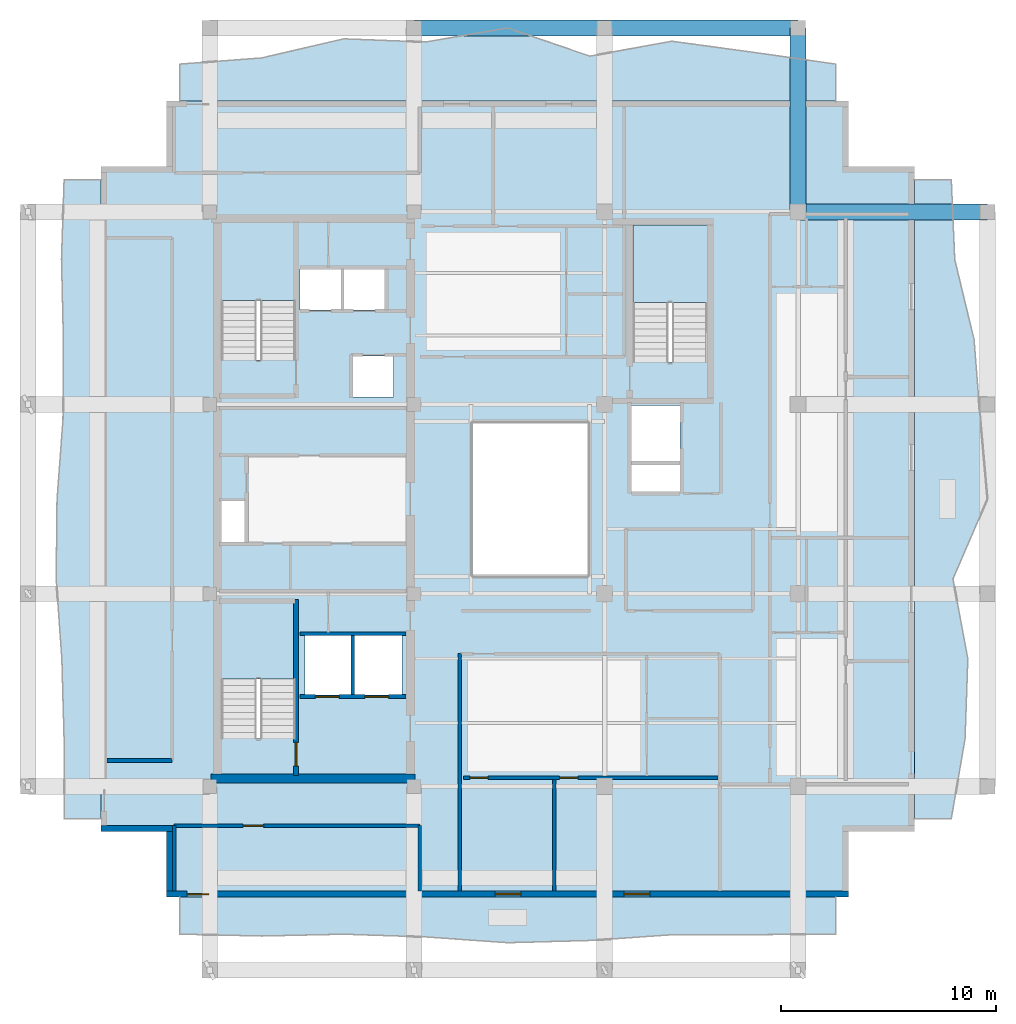
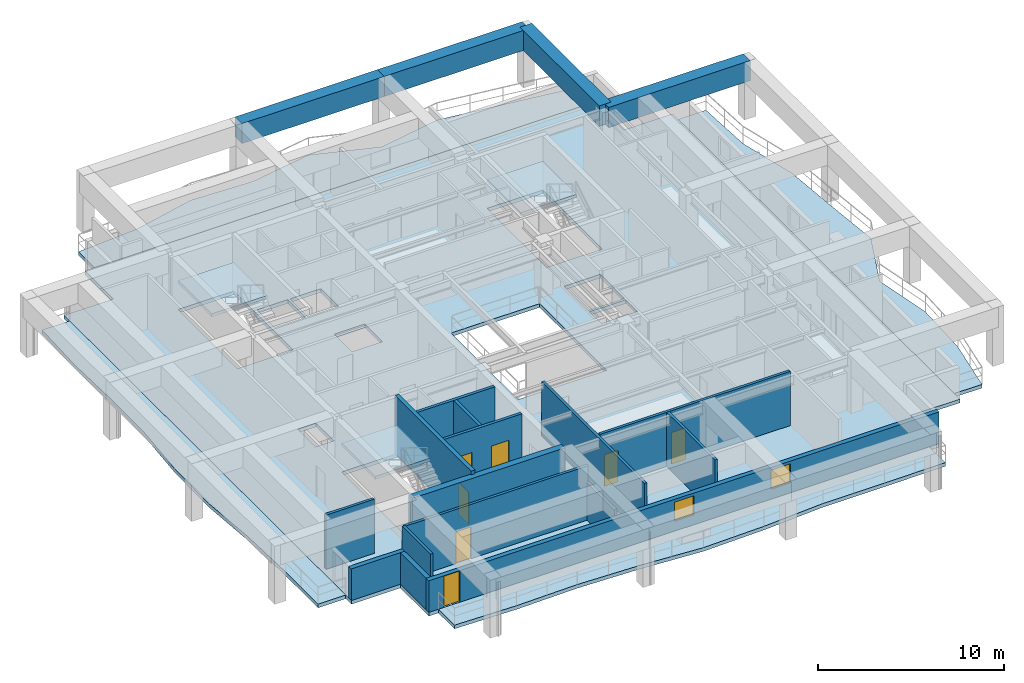
# One storey, part 2 of 10: 15 walls, 8 slabs, 7 doors, 4 beams, 2 windows, 9 openings, 3 elements without a shape of their own.
"""IFC4 building model written with IfcOpenShell, lengths in metres."""

from ifc_helpers import new_model, si_unit, direction, frame, frame_2d, origin, origin_2d, place, context, subcontext, project, spatial, polyline, rectangle, outline, extrude, material, layer, layer_set, material_profile, profile_set, type_object, element, fill, aggregate, save


model = new_model("IFC4")

# Units and contexts
model_context = context("Model", 3, precision=1e-05, world=origin(), true_north=direction((0.0, 1.0)))
body_context = subcontext(model_context, "Body", "Model", "MODEL_VIEW")
ifc_project = project(units=[si_unit("LENGTHUNIT", "METRE"), si_unit("AREAUNIT", "SQUARE_METRE"), si_unit("VOLUMEUNIT", "CUBIC_METRE"), si_unit("PLANEANGLEUNIT", "RADIAN"), si_unit("MASSUNIT", "GRAM", prefix="KILO")], contexts=[model_context])

# Site, building, storey
site_placement = place(None, origin())
site = spatial("IfcSite", under=ifc_project, at=site_placement, CompositionType="ELEMENT")
building_placement = place(site_placement, origin())
building = spatial("IfcBuilding", under=site, at=building_placement, Name="Kundavana Baori Tower", CompositionType="ELEMENT")
storey_placement = place(building_placement, frame((0.0, 0.0, 323.89990234375)))
storey = spatial("IfcBuildingStorey", under=building, at=storey_placement, Name="L80", CompositionType="ELEMENT", Elevation=323.89990234375)

# Beams
ifc_material_1 = material(Name="Concrete C50/60", Category="concrete")
ifc_material_profile = material_profile(ifc_material_1, rectangle(XDim=0.739990234375, YDim=1.320068359375, at=origin_2d()), Name="BM-TG-5")
ifc_profile_set = profile_set([ifc_material_profile], Name="Concrete C50/60")
beam_type = type_object("IfcBeamType", Name="BM-TG-5", PredefinedType="USERDEFINED", material=ifc_profile_set)
beam_1_placement = place(storey_placement, frame((24.949951171875, 50.5, 3.14013671875), z_axis=(1.0, 0.0, 0.0), x_axis=(0.0, 1.0, 0.0)))
element("IfcBeam", 1, at=beam_1_placement, inside=storey, type_object=beam_type, Name="L80 Perimeter Frame Ring Beam N2", ObjectType="TRANSFER GIRDER", PredefinedType="USERDEFINED", context=body_context, shape_type="SweptSolid", body=[
    extrude(rectangle(XDim=0.739990234375, YDim=1.320068359375, at=origin_2d()), origin(), (0.0, 0.0, 1.0), 8.85009765625),
])
beam_2_placement = place(storey_placement, frame((33.800048828125, 50.5, 3.14013671875), z_axis=(1.0, 0.0, 0.0), x_axis=(0.0, 1.0, 0.0)))
element("IfcBeam", 2, at=beam_2_placement, inside=storey, type_object=beam_type, Name="L80 Perimeter Frame Ring Beam N3", ObjectType="TRANSFER GIRDER", PredefinedType="USERDEFINED", context=body_context, shape_type="SweptSolid", body=[
    extrude(rectangle(XDim=0.739990234375, YDim=1.320068359375, at=origin_2d()), origin(), (0.0, 0.0, 1.0), 9.0),
])
beam_3_placement = place(storey_placement, frame((42.800048828125, 41.949951171875, 3.14013671875), z_axis=(0.0, 1.0, 0.0), x_axis=(-1.0, 0.0, 0.0)))
element("IfcBeam", 3, at=beam_3_placement, inside=storey, type_object=beam_type, Name="L80 North Radial Transfer Girder N4", ObjectType="TRANSFER GIRDER", PredefinedType="USERDEFINED", context=body_context, shape_type="SweptSolid", body=[
    extrude(rectangle(XDim=0.739990234375, YDim=1.320068359375, at=origin_2d()), origin(), (0.0, 0.0, 1.0), 8.550048828125),
])
beam_4_placement = place(storey_placement, frame((42.800048828125, 41.949951171875, 3.14013671875), z_axis=(1.0, 0.0, 0.0), x_axis=(0.0, 1.0, 0.0)))
element("IfcBeam", 4, at=beam_4_placement, inside=storey, type_object=beam_type, Name="L80 East Radial Transfer Girder E4", ObjectType="TRANSFER GIRDER", PredefinedType="USERDEFINED", context=body_context, shape_type="SweptSolid", body=[
    extrude(rectangle(XDim=0.739990234375, YDim=1.320068359375, at=origin_2d()), origin(), (0.0, 0.0, 1.0), 8.800048828125),
])

# Slab
ifc_material_2 = material(Name="Concrete C40/50", Category="concrete")
ifc_layer_1 = layer(ifc_material_2, 0.239990234375, Name="SLB-FLR-240")
ifc_layer_set_1 = layer_set([ifc_layer_1], Name="Concrete C40/50")
slab_type_1 = type_object("IfcSlabType", Name="SLB-FLR-240", PredefinedType="FLOOR", material=ifc_layer_set_1)
slab_1_placement = place(storey_placement, frame((0.0, 0.0, -0.239990234375)))
element("IfcSlab", 5, at=slab_1_placement, inside=storey, type_object=slab_type_1, Name="L80 Structural Floor Slab", PredefinedType="FLOOR", context=body_context, shape_type="SweptSolid", body=[
    extrude(outline(polyline([(13.449951171875, 10.10009765625), (45.14990234375, 10.10009765625), (45.14990234375, 13.14990234375), (48.199951171875, 13.14990234375), (48.199951171875, 44.050048828125), (45.14990234375, 44.050048828125), (45.14990234375, 47.10009765625), (13.449951171875, 47.10009765625), (13.449951171875, 44.050048828125), (10.39990234375, 44.050048828125), (10.39990234375, 13.14990234375), (13.449951171875, 13.14990234375), (13.449951171875, 10.10009765625)]), holes=[polyline([(19.43994140625, 17.4619140625), (19.43994140625, 23.85009765625), (15.97998046875, 23.85009765625), (15.97998046875, 17.4619140625), (19.43994140625, 17.4619140625)]), polyline([(19.43994140625, 35.06201171875), (19.43994140625, 41.449951171875), (15.97998046875, 41.449951171875), (15.97998046875, 35.06201171875), (19.43994140625, 35.06201171875)]), polyline([(38.580078125, 34.9619140625), (38.580078125, 41.35009765625), (35.1201171875, 41.35009765625), (35.1201171875, 34.9619140625), (38.580078125, 34.9619140625)]), polyline([(19.64990234375, 37.39990234375), (21.550048828125, 37.39990234375), (21.550048828125, 39.300048828125), (19.64990234375, 39.300048828125), (19.64990234375, 37.39990234375)]), polyline([(21.699951171875, 37.39990234375), (23.60009765625, 37.39990234375), (23.60009765625, 39.300048828125), (21.699951171875, 39.300048828125), (21.699951171875, 37.39990234375)]), polyline([(22.10009765625, 33.35009765625), (24.0, 33.35009765625), (24.0, 35.25), (22.10009765625, 35.25), (22.10009765625, 33.35009765625)]), polyline([(19.8798828125, 19.5), (22.02001953125, 19.5), (22.02001953125, 22.25), (19.8798828125, 22.25), (19.8798828125, 19.5)]), polyline([(22.179931640625, 19.5), (24.3798828125, 19.5), (24.3798828125, 22.25), (22.179931640625, 22.25), (22.179931640625, 19.5)]), polyline([(35.050048828125, 30.35009765625), (37.300048828125, 30.35009765625), (37.300048828125, 32.949951171875), (35.050048828125, 32.949951171875), (35.050048828125, 30.35009765625)]), polyline([(15.949951171875, 26.60009765625), (17.080078125, 26.60009765625), (17.080078125, 28.5), (15.949951171875, 28.5), (15.949951171875, 26.60009765625)]), polyline([(35.050048828125, 28.949951171875), (37.300048828125, 28.949951171875), (37.300048828125, 30.199951171875), (35.050048828125, 30.199951171875), (35.050048828125, 28.949951171875)]), polyline([(27.60009765625, 25.0), (33.10009765625, 25.0), (33.10009765625, 32.199951171875), (27.60009765625, 32.199951171875), (27.60009765625, 25.0)])]), origin(), (0.0, 0.0, 1.0), 0.239990234375),
])

# Stair, slab
ifc_material_3 = material(Name="Concrete C40/50", Category="concrete")
stair_type = type_object("IfcStairType", Name="STR-DOG-1650", PredefinedType="HALF_TURN_STAIR", material=ifc_material_3)
stair_1_placement = place(storey_placement, origin())
stair_1 = element("IfcStair", 6, at=stair_1_placement, inside=storey, type_object=stair_type, Name="L80 Protected Exit Stair ST1", PredefinedType="HALF_TURN_STAIR")
ifc_material_4 = material(Name="Concrete C40/50", Category="concrete")
ifc_layer_2 = layer(ifc_material_4, 0.199951171875, Name="SLB-LND-200")
ifc_layer_set_2 = layer_set([ifc_layer_2], Name="Concrete C40/50")
slab_type_2 = type_object("IfcSlabType", Name="SLB-LND-200", PredefinedType="LANDING", material=ifc_layer_set_2)
slab_2_placement = place(storey_placement, frame((0.0, 0.0, 1.7001953125)))
slab_2 = element("IfcSlab", 7, at=slab_2_placement, type_object=slab_type_2, Name="ST1 landing 1", PredefinedType="LANDING", context=body_context, shape_type="SweptSolid", body=[
    extrude(outline(polyline([(19.43994140625, 20.239990234375), (19.43994140625, 23.85009765625), (15.97998046875, 23.85009765625), (15.97998046875, 20.239990234375), (19.43994140625, 20.239990234375)])), origin(), (0.0, 0.0, 1.0), 0.199951171875),
])
aggregate(stair_1, [slab_2])

stair_2_placement = place(storey_placement, origin())
stair_2 = element("IfcStair", 8, at=stair_2_placement, inside=storey, type_object=stair_type, Name="L80 Protected Exit Stair ST2", PredefinedType="HALF_TURN_STAIR")
slab_3_placement = place(storey_placement, frame((0.0, 0.0, 1.7001953125)))
slab_3 = element("IfcSlab", 9, at=slab_3_placement, type_object=slab_type_2, Name="ST2 landing 1", PredefinedType="LANDING", context=body_context, shape_type="SweptSolid", body=[
    extrude(outline(polyline([(19.43994140625, 37.840087890625), (19.43994140625, 41.449951171875), (15.97998046875, 41.449951171875), (15.97998046875, 37.840087890625), (19.43994140625, 37.840087890625)])), origin(), (0.0, 0.0, 1.0), 0.199951171875),
])
aggregate(stair_2, [slab_3])

stair_3_placement = place(storey_placement, origin())
stair_3 = element("IfcStair", 10, at=stair_3_placement, inside=storey, type_object=stair_type, Name="L80 Protected Exit Stair ST3", PredefinedType="HALF_TURN_STAIR")
slab_4_placement = place(storey_placement, frame((0.0, 0.0, 1.7001953125)))
slab_4 = element("IfcSlab", 11, at=slab_4_placement, type_object=slab_type_2, Name="ST3 landing 1", PredefinedType="LANDING", context=body_context, shape_type="SweptSolid", body=[
    extrude(outline(polyline([(38.580078125, 37.739990234375), (38.580078125, 41.35009765625), (35.1201171875, 41.35009765625), (35.1201171875, 37.739990234375), (38.580078125, 37.739990234375)])), origin(), (0.0, 0.0, 1.0), 0.199951171875),
])
aggregate(stair_3, [slab_4])

# Slabs
ifc_material_5 = material(Name="Concrete C40/50", Category="concrete")
ifc_layer_3 = layer(ifc_material_5, 0.239990234375, Name="SLB-LOG-240")
ifc_layer_set_3 = layer_set([ifc_layer_3], Name="Concrete C40/50")
slab_type_3 = type_object("IfcSlabType", Name="SLB-LOG-240", PredefinedType="FLOOR", material=ifc_layer_set_3)
slab_5_placement = place(storey_placement, frame((0.0, 0.0, -0.239990234375)))
element("IfcSlab", 12, at=slab_5_placement, inside=storey, type_object=slab_type_3, Name="L80 Planted Loggia Balcony Slab S", PredefinedType="FLOOR", context=body_context, shape_type="SweptSolid", body=[
    extrude(outline(polyline([(14.050048828125, 10.10009765625), (44.550048828125, 10.10009765625), (44.550048828125, 8.3798828125), (40.737060546875, 8.35595703125), (36.925048828125, 8.34912109375), (33.112060546875, 8.083984375), (29.300048828125, 7.97998046875), (25.487060546875, 8.2490234375), (21.675048828125, 8.3759765625), (17.863037109375, 8.291015625), (14.050048828125, 8.3798828125), (14.050048828125, 10.10009765625)])), origin(), (0.0, 0.0, 1.0), 0.239990234375),
])
slab_6_placement = place(storey_placement, frame((0.0, 0.0, -0.239990234375)))
element("IfcSlab", 13, at=slab_6_placement, inside=storey, type_object=slab_type_3, Name="L80 Planted Loggia Balcony Slab E", PredefinedType="FLOOR", context=body_context, shape_type="SweptSolid", body=[
    extrude(outline(polyline([(48.199951171875, 13.75), (48.199951171875, 43.449951171875), (49.919921875, 43.449951171875), (50.0791015625, 39.738037109375), (50.97607421875, 36.02490234375), (51.26806640625, 32.31201171875), (51.60009765625, 28.60009765625), (49.99609375, 24.887939453125), (50.68798828125, 21.175048828125), (50.55908203125, 17.4619140625), (49.919921875, 13.75), (48.199951171875, 13.75)])), origin(), (0.0, 0.0, 1.0), 0.239990234375),
])
slab_7_placement = place(storey_placement, frame((0.0, 0.0, -0.239990234375)))
element("IfcSlab", 14, at=slab_7_placement, inside=storey, type_object=slab_type_3, Name="L80 Planted Loggia Balcony Slab N", PredefinedType="FLOOR", context=body_context, shape_type="SweptSolid", body=[
    extrude(outline(polyline([(44.550048828125, 47.10009765625), (14.050048828125, 47.10009765625), (14.050048828125, 48.820068359375), (17.863037109375, 49.10595703125), (21.675048828125, 49.993896484375), (25.487060546875, 49.847900390625), (29.300048828125, 50.5), (33.112060546875, 49.18994140625), (36.925048828125, 49.883056640625), (40.737060546875, 49.364990234375), (44.550048828125, 48.820068359375), (44.550048828125, 47.10009765625)])), origin(), (0.0, 0.0, 1.0), 0.239990234375),
])
slab_8_placement = place(storey_placement, frame((0.0, 0.0, -0.239990234375)))
element("IfcSlab", 15, at=slab_8_placement, inside=storey, type_object=slab_type_3, Name="L80 Planted Loggia Balcony Slab W", PredefinedType="FLOOR", context=body_context, shape_type="SweptSolid", body=[
    extrude(outline(polyline([(10.39990234375, 43.449951171875), (10.39990234375, 13.75), (8.679931640625, 13.75), (8.678955078125, 17.4619140625), (8.574951171875, 21.175048828125), (8.31103515625, 24.887939453125), (8.35205078125, 28.60009765625), (8.62890625, 32.31201171875), (8.64697265625, 36.02490234375), (8.55908203125, 39.738037109375), (8.679931640625, 43.449951171875), (10.39990234375, 43.449951171875)])), origin(), (0.0, 0.0, 1.0), 0.239990234375),
])

# Wall
ifc_material_6 = material(Name="Concrete C50/60", Category="concrete")
ifc_layer_4 = layer(ifc_material_6, 0.39990234375, Name="WL-CORE-400")
ifc_layer_set_4 = layer_set([ifc_layer_4], Name="Concrete C50/60")
wall_type_1 = type_object("IfcWallType", Name="WL-CORE-400", PredefinedType="SHEAR", material=ifc_layer_set_4)
wall_1_placement = place(storey_placement, frame((15.5, 15.610107421875, 0.0), z_axis=(0.0, 0.0, 1.0), x_axis=(1.0, 0.0, 0.0)))
element("IfcWall", 16, at=wall_1_placement, inside=storey, type_object=wall_type_1, Name="L80 Offset Core South Shear Wall", PredefinedType="SHEAR", context=body_context, shape_type="SweptSolid", body=[
    extrude(rectangle(XDim=9.47998046875, YDim=0.39990234375, at=frame_2d((4.739990234375, 0.0))), origin(), (0.0, 0.0, 1.0), 3.56005859375),
])

# Wall, opening, door
wall_2_placement = place(storey_placement, frame((19.4599609375, 15.739990234375, 0.0), z_axis=(0.0, 0.0, 1.0), x_axis=(0.0, 1.0, 0.0)))
wall_2 = element("IfcWall", 17, at=wall_2_placement, inside=storey, type_object=wall_type_1, Name="WL-L80-ST1-E", PredefinedType="SHEAR", context=body_context, shape_type="SweptSolid", body=[
    extrude(rectangle(XDim=8.199951171875, YDim=0.239990234375, at=frame_2d((4.10009765625, 0.0))), origin(), (0.0, 0.0, 1.0), 3.800048828125),
])
opening_1_placement = place(wall_2_placement, frame((0.449951171875, 0.0, 0.0)))
opening_1 = element("IfcOpeningElement", 18, at=opening_1_placement, cuts=wall_2, Name="Opening FD-110", PredefinedType="OPENING", context=body_context, shape_type="SweptSolid", body=[
    extrude(rectangle(XDim=1.10009765625, YDim=2.10009765625, at=frame_2d((0.550048828125, 1.050048828125))), frame((0.0, 0.1298828125, 0.0), z_axis=(0.0, -1.0, 0.0), x_axis=(1.0, 0.0, 0.0)), (0.0, 0.0, 1.0), 0.260009765625),
])
ifc_material_7 = material(Name="Galvanised Steel Fire-Rated Door Leaf", Category="steel")
door_type_1 = type_object("IfcDoorType", Name="DR-FD120-1100", OperationType="NOTDEFINED", PredefinedType="DOOR", material=ifc_material_7)
door_1_placement = place(opening_1_placement, origin())
door_1 = element("IfcDoor", 19, at=door_1_placement, inside=storey, type_object=door_type_1, Name="DR-L80-ST1", OperationType="SINGLE_SWING_LEFT", OverallHeight=2.10009765625, OverallWidth=1.10009765625, PredefinedType="DOOR", context=body_context, shape_type="SweptSolid", body=[
    extrude(rectangle(XDim=1.10009765625, YDim=2.10009765625, at=frame_2d((0.550048828125, 1.050048828125))), frame((0.0, 0.02490234375, 0.0), z_axis=(0.0, -1.0, 0.0), x_axis=(1.0, 0.0, 0.0)), (0.0, 0.0, 1.0), 0.050048828125),
])
fill(opening_1, door_1)

# Wall, openings, door, windows
ifc_material_8 = material(Name="Red-Buff Dholpur Sandstone Cladding on Concrete C40/50", Category="masonry")
ifc_layer_5 = layer(ifc_material_8, 0.280029296875, Name="WL-EXT-SAND-280")
ifc_layer_set_5 = layer_set([ifc_layer_5], Name="Red-Buff Dholpur Sandstone Cladding on Concrete C40/50")
wall_type_2 = type_object("IfcWallType", Name="WL-EXT-SAND-280", PredefinedType="STANDARD", material=ifc_layer_set_5)
wall_3_placement = place(storey_placement, frame((13.449951171875, 10.239990234375, 0.0), z_axis=(0.0, 0.0, 1.0), x_axis=(1.0, 0.0, 0.0)))
wall_3 = element("IfcWall", 20, at=wall_3_placement, inside=storey, type_object=wall_type_2, Name="L80 Exterior Insulated Facade Wall 01", PredefinedType="STANDARD", context=body_context, shape_type="SweptSolid", body=[
    extrude(rectangle(XDim=31.699951171875, YDim=0.280029296875, at=frame_2d((15.85009765625, 0.0))), origin(), (0.0, 0.0, 1.0), 2.080078125),
])
opening_2_placement = place(wall_3_placement, frame((0.949951171875, 0.0, 0.0)))
opening_2 = element("IfcOpeningElement", 21, at=opening_2_placement, cuts=wall_3, Name="Opening BD-1", PredefinedType="OPENING", context=body_context, shape_type="SweptSolid", body=[
    extrude(rectangle(XDim=1.0, YDim=2.050048828125, at=frame_2d((0.5, 1.02490234375))), frame((0.0, 0.14990234375, 0.0), z_axis=(0.0, -1.0, 0.0), x_axis=(1.0, 0.0, 0.0)), (0.0, 0.0, 1.0), 0.300048828125),
])
opening_3_placement = place(wall_3_placement, frame((15.261962890625, 0.0, 0.64990234375)))
opening_3 = element("IfcOpeningElement", 22, at=opening_3_placement, cuts=wall_3, Name="Opening W-12", PredefinedType="OPENING", context=body_context, shape_type="SweptSolid", body=[
    extrude(rectangle(XDim=1.199951171875, YDim=1.25, at=frame_2d((0.60009765625, 0.625))), frame((0.0, 0.14990234375, 0.0), z_axis=(0.0, -1.0, 0.0), x_axis=(1.0, 0.0, 0.0)), (0.0, 0.0, 1.0), 0.300048828125),
])
opening_4_placement = place(wall_3_placement, frame((21.258056640625, 0.0, 0.64990234375)))
opening_4 = element("IfcOpeningElement", 23, at=opening_4_placement, cuts=wall_3, Name="Opening W-12", PredefinedType="OPENING", context=body_context, shape_type="SweptSolid", body=[
    extrude(rectangle(XDim=1.199951171875, YDim=1.25, at=frame_2d((0.60009765625, 0.625))), frame((0.0, 0.14990234375, 0.0), z_axis=(0.0, -1.0, 0.0), x_axis=(1.0, 0.0, 0.0)), (0.0, 0.0, 1.0), 0.300048828125),
])
ifc_material_9 = material(Name="Architectural Patinated Bronze Metalwork")
door_type_2 = type_object("IfcDoorType", Name="DR-EXT-LOG-1000", OperationType="NOTDEFINED", PredefinedType="DOOR", material=ifc_material_9)
door_2_placement = place(opening_2_placement, frame((1.0, 0.0, 0.0), z_axis=(0.0, 0.0, 1.0), x_axis=(-1.0, 0.0, 0.0)))
door_2 = element("IfcDoor", 24, at=door_2_placement, inside=storey, type_object=door_type_2, Name="L80 Loggia Balcony Access Door S", OperationType="SINGLE_SWING_LEFT", OverallHeight=2.050048828125, OverallWidth=1.0, PredefinedType="DOOR", context=body_context, shape_type="SweptSolid", body=[
    extrude(rectangle(XDim=1.0, YDim=2.050048828125, at=frame_2d((0.5, 1.02490234375))), frame((0.0, 0.02490234375, 0.0), z_axis=(0.0, -1.0, 0.0), x_axis=(1.0, 0.0, 0.0)), (0.0, 0.0, 1.0), 0.050048828125),
])
fill(opening_2, door_2)
ifc_material_10 = material(Name="Double-Glazed Solar-Control Low-E Insulated Glass", Category="glass")
window_type = type_object("IfcWindowType", Name="WIN-TRN-1200x1250", PartitioningType="SINGLE_PANEL", PredefinedType="WINDOW", material=ifc_material_10)
window_1_placement = place(opening_3_placement, origin())
window_1 = element("IfcWindow", 25, at=window_1_placement, inside=storey, type_object=window_type, Name="L80 Dwelling Outlook Window DW-1", OverallHeight=1.25, OverallWidth=1.199951171875, PartitioningType="SINGLE_PANEL", PredefinedType="WINDOW", context=body_context, shape_type="SweptSolid", body=[
    extrude(rectangle(XDim=1.199951171875, YDim=1.25, at=frame_2d((0.60009765625, 0.625))), frame((0.0, 0.030029296875, 0.0), z_axis=(0.0, -1.0, 0.0), x_axis=(1.0, 0.0, 0.0)), (0.0, 0.0, 1.0), 0.06005859375),
])
fill(opening_3, window_1)
window_2_placement = place(opening_4_placement, origin())
window_2 = element("IfcWindow", 26, at=window_2_placement, inside=storey, type_object=window_type, Name="L80 Dwelling Outlook Window DW-2", OverallHeight=1.25, OverallWidth=1.199951171875, PartitioningType="SINGLE_PANEL", PredefinedType="WINDOW", context=body_context, shape_type="SweptSolid", body=[
    extrude(rectangle(XDim=1.199951171875, YDim=1.25, at=frame_2d((0.60009765625, 0.625))), frame((0.0, 0.030029296875, 0.0), z_axis=(0.0, -1.0, 0.0), x_axis=(1.0, 0.0, 0.0)), (0.0, 0.0, 1.0), 0.06005859375),
])
fill(opening_4, window_2)

# Walls
wall_4_placement = place(storey_placement, frame((10.39990234375, 13.2900390625, 0.0), z_axis=(0.0, 0.0, 1.0), x_axis=(1.0, 0.0, 0.0)))
element("IfcWall", 27, at=wall_4_placement, inside=storey, type_object=wall_type_2, Name="L80 Exterior Insulated Facade Wall 11", PredefinedType="STANDARD", context=body_context, shape_type="SweptSolid", body=[
    extrude(rectangle(XDim=3.330078125, YDim=0.280029296875, at=frame_2d((1.6650390625, 0.0))), origin(), (0.0, 0.0, 1.0), 2.080078125),
])
wall_5_placement = place(storey_placement, frame((13.590087890625, 13.14990234375, 0.0), z_axis=(0.0, 0.0, 1.0), x_axis=(0.0, -1.0, 0.0)))
element("IfcWall", 28, at=wall_5_placement, inside=storey, type_object=wall_type_2, Name="L80 Exterior Insulated Facade Wall 12", PredefinedType="STANDARD", context=body_context, shape_type="SweptSolid", body=[
    extrude(rectangle(XDim=2.77001953125, YDim=0.280029296875, at=frame_2d((1.385009765625, 0.0))), origin(), (0.0, 0.0, 1.0), 2.080078125),
])
ifc_material_11 = material(Name="Fire-Rated Gypsum Drywall on Galvanised Steel Studs", Category="steel")
ifc_layer_6 = layer(ifc_material_11, 0.1650390625, Name="WL-PART-165")
ifc_layer_set_6 = layer_set([ifc_layer_6], Name="Fire-Rated Gypsum Drywall on Galvanised Steel Studs")
wall_type_3 = type_object("IfcWallType", Name="WL-PART-165", PredefinedType="PARTITIONING", material=ifc_layer_set_6)
wall_6_placement = place(storey_placement, frame((27.080078125, 10.3798828125, 0.0), z_axis=(0.0, 0.0, 1.0), x_axis=(0.0, 1.0, 0.0)))
element("IfcWall", 29, at=wall_6_placement, inside=storey, type_object=wall_type_3, Name="WL-L80-RSW", PredefinedType="PARTITIONING", context=body_context, shape_type="SweptSolid", body=[
    extrude(rectangle(XDim=11.0400390625, YDim=0.1650390625, at=frame_2d((5.52001953125, 0.0))), origin(), (0.0, 0.0, 1.0), 3.56005859375),
])

# Wall, opening, door
wall_7_placement = place(storey_placement, frame((13.800048828125, 13.419921875, 0.0), z_axis=(0.0, 0.0, 1.0), x_axis=(1.0, 0.0, 0.0)))
wall_7 = element("IfcWall", 30, at=wall_7_placement, inside=storey, type_object=wall_type_3, Name="WL-L80-RSC", PredefinedType="PARTITIONING", context=body_context, shape_type="SweptSolid", body=[
    extrude(rectangle(XDim=11.419921875, YDim=0.1650390625, at=frame_2d((5.7099609375, 0.0))), origin(), (0.0, 0.0, 1.0), 3.56005859375),
])
opening_5_placement = place(wall_7_placement, frame((3.199951171875, 0.0, 0.0)))
opening_5 = element("IfcOpeningElement", 31, at=opening_5_placement, cuts=wall_7, Name="Opening ID-095", PredefinedType="OPENING", context=body_context, shape_type="SweptSolid", body=[
    extrude(rectangle(XDim=0.949951171875, YDim=2.080078125, at=frame_2d((0.47509765625, 1.0400390625))), frame((0.0, 0.092529296875, 0.0), z_axis=(0.0, -1.0, 0.0), x_axis=(1.0, 0.0, 0.0)), (0.0, 0.0, 1.0), 0.18505859375),
])
ifc_material_12 = material(Name="Engineered Teak Solid-Core Timber Veneer", Category="wood")
door_type_3 = type_object("IfcDoorType", Name="DR-INT-950", OperationType="NOTDEFINED", PredefinedType="DOOR", material=ifc_material_12)
door_3_placement = place(opening_5_placement, frame((0.949951171875, 0.0, 0.0), z_axis=(0.0, 0.0, 1.0), x_axis=(-1.0, 0.0, 0.0)))
door_3 = element("IfcDoor", 32, at=door_3_placement, inside=storey, type_object=door_type_3, Name="DR-L80-RMSW", OperationType="SINGLE_SWING_LEFT", OverallHeight=2.080078125, OverallWidth=0.949951171875, PredefinedType="DOOR", context=body_context, shape_type="SweptSolid", body=[
    extrude(rectangle(XDim=0.949951171875, YDim=2.080078125, at=frame_2d((0.47509765625, 1.0400390625))), frame((0.0, 0.02490234375, 0.0), z_axis=(0.0, -1.0, 0.0), x_axis=(1.0, 0.0, 0.0)), (0.0, 0.0, 1.0), 0.050048828125),
])
fill(opening_5, door_3)

# Walls
wall_8_placement = place(storey_placement, frame((13.800048828125, 10.3798828125, 0.0), z_axis=(0.0, 0.0, 1.0), x_axis=(0.0, 1.0, 0.0)))
element("IfcWall", 33, at=wall_8_placement, inside=storey, type_object=wall_type_3, Name="WL-L80-RSCW", PredefinedType="PARTITIONING", context=body_context, shape_type="SweptSolid", body=[
    extrude(rectangle(XDim=3.0400390625, YDim=0.1650390625, at=frame_2d((1.52001953125, 0.0))), origin(), (0.0, 0.0, 1.0), 3.56005859375),
])
wall_9_placement = place(storey_placement, frame((25.219970703125, 10.3798828125, 0.0), z_axis=(0.0, 0.0, 1.0), x_axis=(0.0, 1.0, 0.0)))
element("IfcWall", 34, at=wall_9_placement, inside=storey, type_object=wall_type_3, Name="WL-L80-RSCE", PredefinedType="PARTITIONING", context=body_context, shape_type="SweptSolid", body=[
    extrude(rectangle(XDim=3.0400390625, YDim=0.1650390625, at=frame_2d((1.52001953125, 0.0))), origin(), (0.0, 0.0, 1.0), 2.47998046875),
])
wall_10_placement = place(storey_placement, frame((10.679931640625, 16.449951171875, 0.0), z_axis=(0.0, 0.0, 1.0), x_axis=(1.0, 0.0, 0.0)))
element("IfcWall", 35, at=wall_10_placement, inside=storey, type_object=wall_type_3, Name="WL-L80-RWS", PredefinedType="PARTITIONING", context=body_context, shape_type="SweptSolid", body=[
    extrude(rectangle(XDim=3.02001953125, YDim=0.1650390625, at=frame_2d((1.510009765625, 0.0))), origin(), (0.0, 0.0, 1.0), 3.56005859375),
])

# Wall, openings, doors
wall_11_placement = place(storey_placement, frame((27.239990234375, 15.64111328125, 0.0), z_axis=(0.0, 0.0, 1.0), x_axis=(1.0, 0.0, 0.0)))
wall_11 = element("IfcWall", 36, at=wall_11_placement, inside=storey, type_object=wall_type_3, Name="WL-L80-S1-HZ", PredefinedType="PARTITIONING", context=body_context, shape_type="SweptSolid", body=[
    extrude(rectangle(XDim=11.830078125, YDim=0.1650390625, at=frame_2d((5.9150390625, 0.0))), origin(), (0.0, 0.0, 1.0), 3.56005859375),
])
opening_6_placement = place(wall_11_placement, frame((0.300048828125, 0.0, 0.0)))
opening_6 = element("IfcOpeningElement", 37, at=opening_6_placement, cuts=wall_11, Name="Opening ID-085", PredefinedType="OPENING", context=body_context, shape_type="SweptSolid", body=[
    extrude(rectangle(XDim=0.85009765625, YDim=2.080078125, at=frame_2d((0.425048828125, 1.0400390625))), frame((0.0, 0.092529296875, 0.0), z_axis=(0.0, -1.0, 0.0), x_axis=(1.0, 0.0, 0.0)), (0.0, 0.0, 1.0), 0.18505859375),
])
opening_7_placement = place(wall_11_placement, frame((4.47509765625, 0.0, 0.0)))
opening_7 = element("IfcOpeningElement", 38, at=opening_7_placement, cuts=wall_11, Name="Opening ID-085", PredefinedType="OPENING", context=body_context, shape_type="SweptSolid", body=[
    extrude(rectangle(XDim=0.85009765625, YDim=2.080078125, at=frame_2d((0.425048828125, 1.0400390625))), frame((0.0, 0.092529296875, 0.0), z_axis=(0.0, -1.0, 0.0), x_axis=(1.0, 0.0, 0.0)), (0.0, 0.0, 1.0), 0.18505859375),
])
ifc_material_13 = material(Name="Engineered Teak Solid-Core Timber Veneer", Category="wood")
door_type_4 = type_object("IfcDoorType", Name="DR-INT-850", OperationType="NOTDEFINED", PredefinedType="DOOR", material=ifc_material_13)
door_4_placement = place(opening_6_placement, frame((0.85009765625, 0.0, 0.0), z_axis=(0.0, 0.0, 1.0), x_axis=(-1.0, 0.0, 0.0)))
door_4 = element("IfcDoor", 39, at=door_4_placement, inside=storey, type_object=door_type_4, Name="DR-L80-S1-B1", OperationType="SINGLE_SWING_LEFT", OverallHeight=2.080078125, OverallWidth=0.85009765625, PredefinedType="DOOR", context=body_context, shape_type="SweptSolid", body=[
    extrude(rectangle(XDim=0.85009765625, YDim=2.080078125, at=frame_2d((0.425048828125, 1.0400390625))), frame((0.0, 0.02490234375, 0.0), z_axis=(0.0, -1.0, 0.0), x_axis=(1.0, 0.0, 0.0)), (0.0, 0.0, 1.0), 0.050048828125),
])
fill(opening_6, door_4)
door_5_placement = place(opening_7_placement, frame((0.85009765625, 0.0, 0.0), z_axis=(0.0, 0.0, 1.0), x_axis=(-1.0, 0.0, 0.0)))
door_5 = element("IfcDoor", 40, at=door_5_placement, inside=storey, type_object=door_type_4, Name="DR-L80-S1-B2", OperationType="SINGLE_SWING_RIGHT", OverallHeight=2.080078125, OverallWidth=0.85009765625, PredefinedType="DOOR", context=body_context, shape_type="SweptSolid", body=[
    extrude(rectangle(XDim=0.85009765625, YDim=2.080078125, at=frame_2d((0.425048828125, 1.0400390625))), frame((0.0, 0.02490234375, 0.0), z_axis=(0.0, -1.0, 0.0), x_axis=(1.0, 0.0, 0.0)), (0.0, 0.0, 1.0), 0.050048828125),
])
fill(opening_7, door_5)

# Wall
wall_12_placement = place(storey_placement, frame((31.465087890625, 10.3798828125, 0.0), z_axis=(0.0, 0.0, 1.0), x_axis=(0.0, 1.0, 0.0)))
element("IfcWall", 41, at=wall_12_placement, inside=storey, type_object=wall_type_3, Name="WL-L80-S1-BDV", PredefinedType="PARTITIONING", context=body_context, shape_type="SweptSolid", body=[
    extrude(rectangle(XDim=5.18115234375, YDim=0.1650390625, at=frame_2d((2.590576171875, 0.0))), origin(), (0.0, 0.0, 1.0), 3.56005859375),
])

# Wall, openings, doors
ifc_material_14 = material(Name="Autoclaved Aerated Concrete Blockwork Masonry", Category="masonry")
ifc_layer_7 = layer(ifc_material_14, 0.179931640625, Name="WL-SHAFT-180")
ifc_layer_set_7 = layer_set([ifc_layer_7], Name="Autoclaved Aerated Concrete Blockwork Masonry")
wall_type_4 = type_object("IfcWallType", Name="WL-SHAFT-180", PredefinedType="SOLIDWALL", material=ifc_layer_set_7)
wall_13_placement = place(storey_placement, frame((19.639892578125, 19.419921875, 0.0), z_axis=(0.0, 0.0, 1.0), x_axis=(1.0, 0.0, 0.0)))
wall_13 = element("IfcWall", 42, at=wall_13_placement, inside=storey, type_object=wall_type_4, Name="WL-L80-FFL-S", PredefinedType="SOLIDWALL", context=body_context, shape_type="SweptSolid", body=[
    extrude(rectangle(XDim=4.940185546875, YDim=0.179931640625, at=frame_2d((2.47021484375, 0.0))), origin(), (0.0, 0.0, 1.0), 3.56005859375),
])
opening_8_placement = place(wall_13_placement, frame((0.719970703125, 0.0, 0.0)))
opening_8 = element("IfcOpeningElement", 43, at=opening_8_placement, cuts=wall_13, Name="Opening LD-110", PredefinedType="OPENING", context=body_context, shape_type="SweptSolid", body=[
    extrude(rectangle(XDim=1.10009765625, YDim=2.10009765625, at=frame_2d((0.550048828125, 1.050048828125))), frame((0.0, 0.10009765625, 0.0), z_axis=(0.0, -1.0, 0.0), x_axis=(1.0, 0.0, 0.0)), (0.0, 0.0, 1.0), 0.199951171875),
])
opening_9_placement = place(wall_13_placement, frame((3.02001953125, 0.0, 0.0)))
opening_9 = element("IfcOpeningElement", 44, at=opening_9_placement, cuts=wall_13, Name="Opening LD-110", PredefinedType="OPENING", context=body_context, shape_type="SweptSolid", body=[
    extrude(rectangle(XDim=1.10009765625, YDim=2.10009765625, at=frame_2d((0.550048828125, 1.050048828125))), frame((0.0, 0.10009765625, 0.0), z_axis=(0.0, -1.0, 0.0), x_axis=(1.0, 0.0, 0.0)), (0.0, 0.0, 1.0), 0.199951171875),
])
ifc_material_15 = material(Name="Galvanised Steel Fire-Rated Door Leaf", Category="steel")
door_type_5 = type_object("IfcDoorType", Name="DR-SLIDE-LD1100", OperationType="NOTDEFINED", PredefinedType="DOOR", material=ifc_material_15)
door_6_placement = place(opening_8_placement, origin())
door_6 = element("IfcDoor", 45, at=door_6_placement, inside=storey, type_object=door_type_5, Name="DR-L80-LD-FFL-1", OperationType="DOUBLE_DOOR_SLIDING", OverallHeight=2.10009765625, OverallWidth=1.10009765625, PredefinedType="DOOR", context=body_context, shape_type="SweptSolid", body=[
    extrude(rectangle(XDim=1.10009765625, YDim=2.10009765625, at=frame_2d((0.550048828125, 1.050048828125))), frame((0.0, 0.02490234375, 0.0), z_axis=(0.0, -1.0, 0.0), x_axis=(1.0, 0.0, 0.0)), (0.0, 0.0, 1.0), 0.050048828125),
])
fill(opening_8, door_6)
door_7_placement = place(opening_9_placement, origin())
door_7 = element("IfcDoor", 46, at=door_7_placement, inside=storey, type_object=door_type_5, Name="DR-L80-LD-FFL-2", OperationType="DOUBLE_DOOR_SLIDING", OverallHeight=2.10009765625, OverallWidth=1.10009765625, PredefinedType="DOOR", context=body_context, shape_type="SweptSolid", body=[
    extrude(rectangle(XDim=1.10009765625, YDim=2.10009765625, at=frame_2d((0.550048828125, 1.050048828125))), frame((0.0, 0.02490234375, 0.0), z_axis=(0.0, -1.0, 0.0), x_axis=(1.0, 0.0, 0.0)), (0.0, 0.0, 1.0), 0.050048828125),
])
fill(opening_9, door_7)

# Walls
wall_14_placement = place(storey_placement, frame((22.10009765625, 19.510009765625, 0.0), z_axis=(0.0, 0.0, 1.0), x_axis=(0.0, 1.0, 0.0)))
element("IfcWall", 47, at=wall_14_placement, inside=storey, type_object=wall_type_4, Name="WL-L80-FFL-MID", PredefinedType="SOLIDWALL", context=body_context, shape_type="SweptSolid", body=[
    extrude(rectangle(XDim=2.739990234375, YDim=0.179931640625, at=frame_2d((1.3701171875, 0.0))), origin(), (0.0, 0.0, 1.0), 3.56005859375),
])
wall_15_placement = place(storey_placement, frame((19.639892578125, 22.340087890625, 0.0), z_axis=(0.0, 0.0, 1.0), x_axis=(1.0, 0.0, 0.0)))
element("IfcWall", 48, at=wall_15_placement, inside=storey, type_object=wall_type_4, Name="WL-L80-FFL-N", PredefinedType="SOLIDWALL", context=body_context, shape_type="SweptSolid", body=[
    extrude(rectangle(XDim=4.940185546875, YDim=0.179931640625, at=frame_2d((2.47021484375, 0.0))), origin(), (0.0, 0.0, 1.0), 3.56005859375),
])

save(model, "model.ifc")
